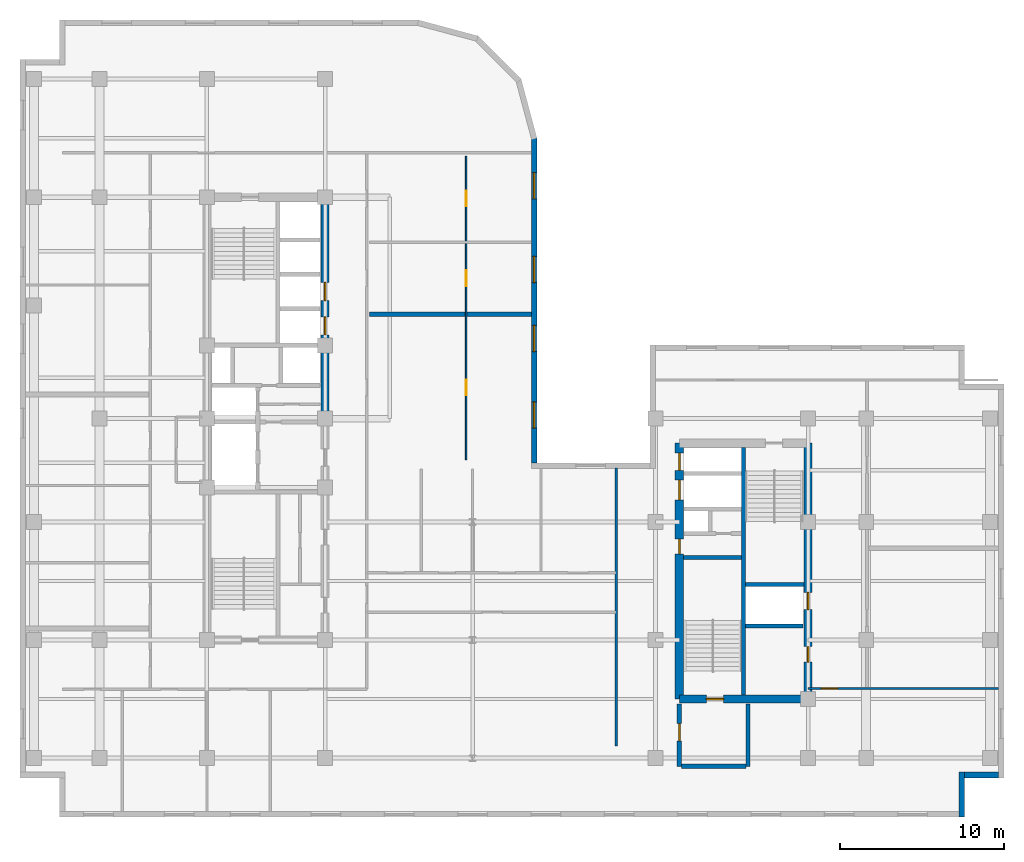
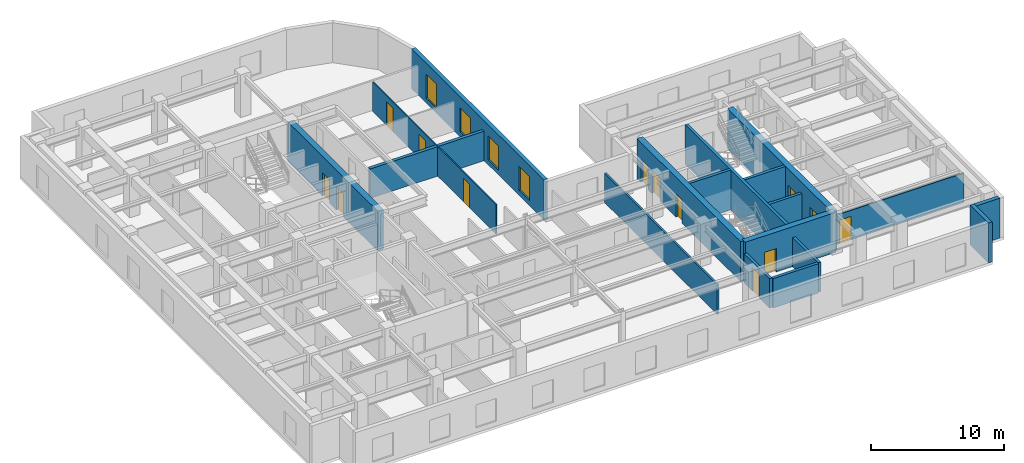
# One storey, part 6 of 11: 18 walls, 13 doors, 4 windows, 17 openings.
"""IFC4 building model written with IfcOpenShell, lengths in metres."""

from ifc_helpers import new_model, entity, si_unit, converted_unit, direction, frame, origin_with_axes, origin_2d_with_axis, place, context, subcontext, project, spatial, polyline, rectangle, outline, extrude, material, layer, layer_set, type_object, element, fill, save


model = new_model("IFC4")

# Units and contexts
model_context = context("Model", 3, precision=1e-05, world=origin_with_axes(), true_north=direction((0.0, 1.0)))
body_context = subcontext(model_context, "Body", "Model", "MODEL_VIEW")
ifc_project = project(units=[si_unit("LENGTHUNIT", "METRE"), si_unit("AREAUNIT", "SQUARE_METRE"), si_unit("VOLUMEUNIT", "CUBIC_METRE"), converted_unit("PLANEANGLEUNIT", "DEGREE", entity("IfcPlaneAngleMeasure", 0.017453292519943295), si_unit("PLANEANGLEUNIT", "RADIAN"), dimensions=[0, 0, 0, 0, 0, 0, 0]), si_unit("MASSUNIT", "GRAM", prefix="KILO"), si_unit("THERMODYNAMICTEMPERATUREUNIT", "KELVIN")], contexts=[model_context])

# Site, building, storey
site_placement = place(None, origin_with_axes())
site = spatial("IfcSite", under=ifc_project, at=site_placement, CompositionType="ELEMENT")
building_placement = place(site_placement, origin_with_axes())
building = spatial("IfcBuilding", under=site, at=building_placement, Name="Varnlund Millrace Tower", CompositionType="ELEMENT")
storey_placement = place(building_placement, frame((0.0, 0.0, 212.1), z_axis=(0.0, 0.0, 1.0), x_axis=(1.0, 0.0, 0.0)))
storey = spatial("IfcBuildingStorey", under=building, at=storey_placement, Name="L52", CompositionType="ELEMENT", Elevation=212.1)

# Wall, openings, doors
ifc_material_1 = material(Name="Concrete C70/85", Category="concrete")
ifc_layer_1 = layer(ifc_material_1, 0.5, Name="Concrete C70/85")
ifc_layer_set_1 = layer_set([ifc_layer_1], Name="Concrete C70/85")
wall_type_1 = type_object("IfcWallType", Name="Type-CoreWall-Shear-500-C70", PredefinedType="SHEAR", material=ifc_layer_set_1)
wall_1_placement = place(storey_placement, frame((18.6, 24.3, 0.0), z_axis=(0.0, 0.0, 1.0), x_axis=(0.0, 1.0, 0.0)))
wall_1 = element("IfcWall", 1, at=wall_1_placement, inside=storey, type_object=wall_type_1, Name="Type-CoreWall-Shear-500-C70", PredefinedType="SHEAR", context=body_context, shape_type="SweptSolid", body=[
    extrude(outline(polyline([(0.0, -0.25), (13.5, -0.25), (13.5, 0.25), (0.0, 0.25), (0.0, -0.25)])), origin_with_axes(), (0.0, 0.0, 1.0), 3.66),
])
opening_1_placement = place(wall_1_placement, frame((5.65, 0.0, 0.0), z_axis=(0.0, 0.0, 1.0), x_axis=(1.0, 0.0, 0.0)))
opening_1 = element("IfcOpeningElement", 2, at=opening_1_placement, cuts=wall_1, Name="Opening L52:LD-ELV-M1", PredefinedType="OPENING", context=body_context, shape_type="SweptSolid", body=[
    extrude(rectangle(XDim=1.1, YDim=0.52, at=origin_2d_with_axis()), origin_with_axes(), (0.0, 0.0, 1.0), 2.15),
])
opening_2_placement = place(wall_1_placement, frame((7.75, 0.0, 0.0), z_axis=(0.0, 0.0, 1.0), x_axis=(1.0, 0.0, 0.0)))
opening_2 = element("IfcOpeningElement", 3, at=opening_2_placement, cuts=wall_1, Name="Opening L52:LD-ELV-M2", PredefinedType="OPENING", context=body_context, shape_type="SweptSolid", body=[
    extrude(rectangle(XDim=1.1, YDim=0.52, at=origin_2d_with_axis()), origin_with_axes(), (0.0, 0.0, 1.0), 2.15),
])
ifc_material_2 = material(Name="Stainless and architectural bronze sliding landing door")
door_type_1 = type_object("IfcDoorType", Name="Type-LiftLandingDoor-1100X2150", OperationType="NOTDEFINED", PredefinedType="DOOR", material=ifc_material_2)
door_1_placement = place(wall_1_placement, frame((5.65, 0.0, 0.0), z_axis=(0.0, 0.0, 1.0), x_axis=(1.0, 0.0, 0.0)))
door_1 = element("IfcDoor", 4, at=door_1_placement, inside=storey, type_object=door_type_1, Name="Type-LiftLandingDoor-1100X2150", OperationType="SLIDING_TO_LEFT", OverallHeight=2.15, OverallWidth=1.1, PredefinedType="DOOR", context=body_context, shape_type="SweptSolid", body=[
    extrude(rectangle(XDim=1.1, YDim=0.09, at=origin_2d_with_axis()), origin_with_axes(), (0.0, 0.0, 1.0), 2.15),
])
fill(opening_1, door_1)
door_2_placement = place(wall_1_placement, frame((7.75, 0.0, 0.0), z_axis=(0.0, 0.0, 1.0), x_axis=(1.0, 0.0, 0.0)))
door_2 = element("IfcDoor", 5, at=door_2_placement, inside=storey, type_object=door_type_1, Name="Type-LiftLandingDoor-1100X2150", OperationType="SLIDING_TO_RIGHT", OverallHeight=2.15, OverallWidth=1.1, PredefinedType="DOOR", context=body_context, shape_type="SweptSolid", body=[
    extrude(rectangle(XDim=1.1, YDim=0.09, at=origin_2d_with_axis()), origin_with_axes(), (0.0, 0.0, 1.0), 2.15),
])
fill(opening_2, door_2)

wall_2_placement = place(storey_placement, frame((40.2, 7.2, 0.0), z_axis=(0.0, 0.0, 1.0), x_axis=(0.0, 1.0, 0.0)))
wall_2 = element("IfcWall", 6, at=wall_2_placement, inside=storey, type_object=wall_type_1, Name="Type-CoreWall-Shear-500-C70", PredefinedType="SHEAR", context=body_context, shape_type="SweptSolid", body=[
    extrude(outline(polyline([(0.0, -0.25), (15.6, -0.25), (15.6, 0.25), (0.0, 0.25), (0.0, -0.25)])), origin_with_axes(), (0.0, 0.0, 1.0), 3.66),
])
opening_3_placement = place(wall_2_placement, frame((14.475, 0.0, 0.0), z_axis=(0.0, 0.0, 1.0), x_axis=(1.0, 0.0, 0.0)))
opening_3 = element("IfcOpeningElement", 7, at=opening_3_placement, cuts=wall_2, Name="Opening L52:LD-ELV-M4", PredefinedType="OPENING", context=body_context, shape_type="SweptSolid", body=[
    extrude(rectangle(XDim=1.05, YDim=0.52, at=origin_2d_with_axis()), origin_with_axes(), (0.0, 0.0, 1.0), 2.15),
])
opening_4_placement = place(wall_2_placement, frame((12.75, 0.0, 0.0), z_axis=(0.0, 0.0, 1.0), x_axis=(1.0, 0.0, 0.0)))
opening_4 = element("IfcOpeningElement", 8, at=opening_4_placement, cuts=wall_2, Name="Opening L52:LD-SRV2", PredefinedType="OPENING", context=body_context, shape_type="SweptSolid", body=[
    extrude(rectangle(XDim=1.2, YDim=0.52, at=origin_2d_with_axis()), origin_with_axes(), (0.0, 0.0, 1.0), 2.15),
])
opening_5_placement = place(wall_2_placement, frame((9.3, 0.0, 0.0), z_axis=(0.0, 0.0, 1.0), x_axis=(1.0, 0.0, 0.0)))
opening_5 = element("IfcOpeningElement", 9, at=opening_5_placement, cuts=wall_2, Name="Opening L52:DR-CB-JAN", PredefinedType="OPENING", context=body_context, shape_type="SweptSolid", body=[
    extrude(rectangle(XDim=0.9, YDim=0.52, at=origin_2d_with_axis()), origin_with_axes(), (0.0, 0.0, 1.0), 2.15),
])
ifc_material_3 = material(Name="Fire-rated hollow steel service closet door", Category="steel")
door_type_2 = type_object("IfcDoorType", Name="Type-FireDoor-Closet-900X2150", OperationType="NOTDEFINED", PredefinedType="DOOR", material=ifc_material_3)
door_3_placement = place(wall_2_placement, frame((9.3, 0.0, 0.0), z_axis=(0.0, 0.0, 1.0), x_axis=(1.0, 0.0, 0.0)))
door_3 = element("IfcDoor", 10, at=door_3_placement, inside=storey, type_object=door_type_2, Name="Type-FireDoor-Closet-900X2150", OperationType="SINGLE_SWING_RIGHT", OverallHeight=2.15, OverallWidth=0.9, PredefinedType="DOOR", context=body_context, shape_type="SweptSolid", body=[
    extrude(rectangle(XDim=0.9, YDim=0.09, at=origin_2d_with_axis()), origin_with_axes(), (0.0, 0.0, 1.0), 2.15),
])
fill(opening_5, door_3)
ifc_material_4 = material(Name="Architectural bronze sliding landing door")
door_type_3 = type_object("IfcDoorType", Name="Type-LiftLandingDoor-Compact-1050X2150", OperationType="NOTDEFINED", PredefinedType="DOOR", material=ifc_material_4)
door_4_placement = place(wall_2_placement, frame((14.475, 0.0, 0.0), z_axis=(0.0, 0.0, 1.0), x_axis=(1.0, 0.0, 0.0)))
door_4 = element("IfcDoor", 11, at=door_4_placement, inside=storey, type_object=door_type_3, Name="Type-LiftLandingDoor-Compact-1050X2150", OperationType="SLIDING_TO_RIGHT", OverallHeight=2.15, OverallWidth=1.05, PredefinedType="DOOR", context=body_context, shape_type="SweptSolid", body=[
    extrude(rectangle(XDim=1.05, YDim=0.09, at=origin_2d_with_axis()), origin_with_axes(), (0.0, 0.0, 1.0), 2.15),
])
fill(opening_3, door_4)
ifc_material_5 = material(Name="Heavy-duty freight sliding landing door")
door_type_4 = type_object("IfcDoorType", Name="Type-LiftLandingDoor-Service-1200X2150", OperationType="NOTDEFINED", PredefinedType="DOOR", material=ifc_material_5)
door_5_placement = place(wall_2_placement, frame((12.75, 0.0, 0.0), z_axis=(0.0, 0.0, 1.0), x_axis=(1.0, 0.0, 0.0)))
door_5 = element("IfcDoor", 12, at=door_5_placement, inside=storey, type_object=door_type_4, Name="Type-LiftLandingDoor-Service-1200X2150", OperationType="DOUBLE_DOOR_SLIDING", OverallHeight=2.15, OverallWidth=1.2, PredefinedType="DOOR", context=body_context, shape_type="SweptSolid", body=[
    extrude(rectangle(XDim=1.2, YDim=0.09, at=origin_2d_with_axis()), origin_with_axes(), (0.0, 0.0, 1.0), 2.15),
])
fill(opening_4, door_5)

# Wall, opening, door
wall_3_placement = place(storey_placement, frame((40.2, 7.2, 0.0), z_axis=(0.0, 0.0, 1.0), x_axis=(1.0, 0.0, 0.0)))
wall_3 = element("IfcWall", 13, at=wall_3_placement, inside=storey, type_object=wall_type_1, Name="Type-CoreWall-Shear-500-C70", PredefinedType="SHEAR", context=body_context, shape_type="SweptSolid", body=[
    extrude(outline(polyline([(0.0, -0.25), (7.85, -0.25), (7.85, 0.25), (0.0, 0.25), (0.0, -0.25)])), origin_with_axes(), (0.0, 0.0, 1.0), 3.66),
])
opening_6_placement = place(wall_3_placement, frame((2.175, 0.0, 0.0), z_axis=(0.0, 0.0, 1.0), x_axis=(1.0, 0.0, 0.0)))
opening_6 = element("IfcOpeningElement", 14, at=opening_6_placement, cuts=wall_3, Name="Opening L52:DR-STB1", PredefinedType="OPENING", context=body_context, shape_type="SweptSolid", body=[
    extrude(rectangle(XDim=1.05, YDim=0.52, at=origin_2d_with_axis()), origin_with_axes(), (0.0, 0.0, 1.0), 2.15),
])
ifc_material_6 = material(Name="Fire-rated hollow steel door", Category="steel")
door_type_5 = type_object("IfcDoorType", Name="Type-FireDoor-Stair-1050X2150", OperationType="NOTDEFINED", PredefinedType="DOOR", material=ifc_material_6)
door_6_placement = place(wall_3_placement, frame((2.175, 0.0, 0.0), z_axis=(0.0, 0.0, 1.0), x_axis=(1.0, 0.0, 0.0)))
door_6 = element("IfcDoor", 15, at=door_6_placement, inside=storey, type_object=door_type_5, Name="Type-FireDoor-Stair-1050X2150", OperationType="SINGLE_SWING_LEFT", OverallHeight=2.15, OverallWidth=1.05, PredefinedType="DOOR", context=body_context, shape_type="SweptSolid", body=[
    extrude(rectangle(XDim=1.05, YDim=0.09, at=origin_2d_with_axis()), origin_with_axes(), (0.0, 0.0, 1.0), 2.15),
])
fill(opening_6, door_6)

# Wall, openings, doors
wall_4_placement = place(storey_placement, frame((48.05, 7.2, 0.0), z_axis=(0.0, 0.0, 1.0), x_axis=(0.0, 1.0, 0.0)))
wall_4 = element("IfcWall", 16, at=wall_4_placement, inside=storey, type_object=wall_type_1, Name="Type-CoreWall-Shear-500-C70", PredefinedType="SHEAR", context=body_context, shape_type="SweptSolid", body=[
    extrude(outline(polyline([(0.0, -0.25), (15.6, -0.25), (15.6, 0.25), (0.0, 0.25), (0.0, -0.25)])), origin_with_axes(), (0.0, 0.0, 1.0), 3.66),
])
opening_7_placement = place(wall_4_placement, frame((5.975, 0.0, 0.0), z_axis=(0.0, 0.0, 1.0), x_axis=(1.0, 0.0, 0.0)))
opening_7 = element("IfcOpeningElement", 17, at=opening_7_placement, cuts=wall_4, Name="Opening L52:LD-ELV-M3", PredefinedType="OPENING", context=body_context, shape_type="SweptSolid", body=[
    extrude(rectangle(XDim=1.05, YDim=0.52, at=origin_2d_with_axis()), origin_with_axes(), (0.0, 0.0, 1.0), 2.15),
])
opening_8_placement = place(wall_4_placement, frame((2.725, 0.0, 0.0), z_axis=(0.0, 0.0, 1.0), x_axis=(1.0, 0.0, 0.0)))
opening_8 = element("IfcOpeningElement", 18, at=opening_8_placement, cuts=wall_4, Name="Opening L52:DR-CB-WC", PredefinedType="OPENING", context=body_context, shape_type="SweptSolid", body=[
    extrude(rectangle(XDim=0.95, YDim=0.52, at=origin_2d_with_axis()), origin_with_axes(), (0.0, 0.0, 1.0), 2.15),
])
ifc_material_7 = material(Name="Fire-rated hollow steel core service door", Category="steel")
door_type_6 = type_object("IfcDoorType", Name="Type-FireDoor-Service-950X2150", OperationType="NOTDEFINED", PredefinedType="DOOR", material=ifc_material_7)
door_7_placement = place(wall_4_placement, frame((2.725, 0.0, 0.0), z_axis=(0.0, 0.0, 1.0), x_axis=(1.0, 0.0, 0.0)))
door_7 = element("IfcDoor", 19, at=door_7_placement, inside=storey, type_object=door_type_6, Name="Type-FireDoor-Service-950X2150", OperationType="SINGLE_SWING_LEFT", OverallHeight=2.15, OverallWidth=0.95, PredefinedType="DOOR", context=body_context, shape_type="SweptSolid", body=[
    extrude(rectangle(XDim=0.95, YDim=0.09, at=origin_2d_with_axis()), origin_with_axes(), (0.0, 0.0, 1.0), 2.15),
])
fill(opening_8, door_7)
door_8_placement = place(wall_4_placement, frame((5.975, 0.0, 0.0), z_axis=(0.0, 0.0, 1.0), x_axis=(1.0, 0.0, 0.0)))
door_8 = element("IfcDoor", 20, at=door_8_placement, inside=storey, type_object=door_type_3, Name="Type-LiftLandingDoor-Compact-1050X2150", OperationType="SLIDING_TO_LEFT", OverallHeight=2.15, OverallWidth=1.05, PredefinedType="DOOR", context=body_context, shape_type="SweptSolid", body=[
    extrude(rectangle(XDim=1.05, YDim=0.09, at=origin_2d_with_axis()), origin_with_axes(), (0.0, 0.0, 1.0), 2.15),
])
fill(opening_7, door_8)

# Walls
ifc_material_8 = material(Name="Precast concrete C50/60", Category="concrete")
ifc_layer_2 = layer(ifc_material_8, 0.34, Name="Precast concrete C50/60")
ifc_layer_set_2 = layer_set([ifc_layer_2], Name="Precast concrete C50/60")
wall_type_2 = type_object("IfcWallType", Name="Type-ExtWall-Precast-Upper-340", PredefinedType="SOLIDWALL", material=ifc_layer_set_2)
wall_5_placement = place(storey_placement, frame((59.66, 2.57, 0.0), z_axis=(0.0, 0.0, 1.0), x_axis=(-1.0, 0.0, 0.0)))
element("IfcWall", 21, at=wall_5_placement, inside=storey, type_object=wall_type_2, Name="Type-ExtWall-Precast-Upper-340", PredefinedType="SOLIDWALL", context=body_context, shape_type="SweptSolid", body=[
    extrude(outline(polyline([(0.0, -0.17), (2.06, -0.17), (2.06, 0.17), (0.0, 0.17), (0.0, -0.17)])), origin_with_axes(), (0.0, 0.0, 1.0), 3.66),
])
wall_6_placement = place(storey_placement, frame((57.43, 2.74, 0.0), z_axis=(0.0, 0.0, 1.0), x_axis=(0.0, -1.0, 0.0)))
element("IfcWall", 22, at=wall_6_placement, inside=storey, type_object=wall_type_2, Name="Type-ExtWall-Precast-Upper-340", PredefinedType="SOLIDWALL", context=body_context, shape_type="SweptSolid", body=[
    extrude(outline(polyline([(0.0, -0.17), (2.74, -0.17), (2.74, 0.17), (0.0, 0.17), (0.0, -0.17)])), origin_with_axes(), (0.0, 0.0, 1.0), 3.66),
])

# Wall, openings, windows
wall_7_placement = place(storey_placement, frame((31.355, 41.42, 0.0), z_axis=(0.0, 0.0, 1.0), x_axis=(0.0, -1.0, 0.0)))
wall_7 = element("IfcWall", 23, at=wall_7_placement, inside=storey, type_object=wall_type_2, Name="Type-ExtWall-Precast-Upper-340", PredefinedType="SOLIDWALL", context=body_context, shape_type="SweptSolid", body=[
    extrude(outline(polyline([(0.0, -0.17), (19.82, -0.17), (19.82, 0.17), (0.0, 0.17), (0.0, -0.17)])), origin_with_axes(), (0.0, 0.0, 1.0), 3.66),
])
opening_9_placement = place(wall_7_placement, frame((2.928, 0.0, 0.45), z_axis=(0.0, 0.0, 1.0), x_axis=(1.0, 0.0, 0.0)))
opening_9 = element("IfcOpeningElement", 24, at=opening_9_placement, cuts=wall_7, Name="Opening L52:WN-29", PredefinedType="OPENING", context=body_context, shape_type="SweptSolid", body=[
    extrude(rectangle(XDim=1.6, YDim=0.36, at=origin_2d_with_axis()), origin_with_axes(), (0.0, 0.0, 1.0), 2.2),
])
opening_10_placement = place(wall_7_placement, frame((8.032, 0.0, 0.45), z_axis=(0.0, 0.0, 1.0), x_axis=(1.0, 0.0, 0.0)))
opening_10 = element("IfcOpeningElement", 25, at=opening_10_placement, cuts=wall_7, Name="Opening L52:WN-30", PredefinedType="OPENING", context=body_context, shape_type="SweptSolid", body=[
    extrude(rectangle(XDim=1.6, YDim=0.36, at=origin_2d_with_axis()), origin_with_axes(), (0.0, 0.0, 1.0), 2.2),
])
opening_11_placement = place(wall_7_placement, frame((12.238, 0.0, 0.45), z_axis=(0.0, 0.0, 1.0), x_axis=(1.0, 0.0, 0.0)))
opening_11 = element("IfcOpeningElement", 26, at=opening_11_placement, cuts=wall_7, Name="Opening L52:WN-31", PredefinedType="OPENING", context=body_context, shape_type="SweptSolid", body=[
    extrude(rectangle(XDim=1.6, YDim=0.36, at=origin_2d_with_axis()), origin_with_axes(), (0.0, 0.0, 1.0), 2.2),
])
opening_12_placement = place(wall_7_placement, frame((16.893, 0.0, 0.45), z_axis=(0.0, 0.0, 1.0), x_axis=(1.0, 0.0, 0.0)))
opening_12 = element("IfcOpeningElement", 27, at=opening_12_placement, cuts=wall_7, Name="Opening L52:WN-32", PredefinedType="OPENING", context=body_context, shape_type="SweptSolid", body=[
    extrude(rectangle(XDim=1.6, YDim=0.36, at=origin_2d_with_axis()), origin_with_axes(), (0.0, 0.0, 1.0), 2.2),
])
ifc_material_9 = material(Name="Argon low-e triple glazing in thermally broken bronze frame", Category="glass")
window_type = type_object("IfcWindowType", Name="Type-Window-Slot-1600X2200", PartitioningType="SINGLE_PANEL", PredefinedType="WINDOW", material=ifc_material_9)
window_1_placement = place(wall_7_placement, frame((2.928, 0.0, 0.45), z_axis=(0.0, 0.0, 1.0), x_axis=(1.0, 0.0, 0.0)))
window_1 = element("IfcWindow", 28, at=window_1_placement, inside=storey, type_object=window_type, Name="Type-Window-Slot-1600X2200", OverallHeight=2.2, OverallWidth=1.6, PredefinedType="WINDOW", context=body_context, shape_type="SweptSolid", body=[
    extrude(rectangle(XDim=1.6, YDim=0.09, at=origin_2d_with_axis()), origin_with_axes(), (0.0, 0.0, 1.0), 2.2),
])
fill(opening_9, window_1)
window_2_placement = place(wall_7_placement, frame((8.032, 0.0, 0.45), z_axis=(0.0, 0.0, 1.0), x_axis=(1.0, 0.0, 0.0)))
window_2 = element("IfcWindow", 29, at=window_2_placement, inside=storey, type_object=window_type, Name="Type-Window-Slot-1600X2200", OverallHeight=2.2, OverallWidth=1.6, PredefinedType="WINDOW", context=body_context, shape_type="SweptSolid", body=[
    extrude(rectangle(XDim=1.6, YDim=0.09, at=origin_2d_with_axis()), origin_with_axes(), (0.0, 0.0, 1.0), 2.2),
])
fill(opening_10, window_2)
window_3_placement = place(wall_7_placement, frame((12.238, 0.0, 0.45), z_axis=(0.0, 0.0, 1.0), x_axis=(1.0, 0.0, 0.0)))
window_3 = element("IfcWindow", 30, at=window_3_placement, inside=storey, type_object=window_type, Name="Type-Window-Slot-1600X2200", OverallHeight=2.2, OverallWidth=1.6, PredefinedType="WINDOW", context=body_context, shape_type="SweptSolid", body=[
    extrude(rectangle(XDim=1.6, YDim=0.09, at=origin_2d_with_axis()), origin_with_axes(), (0.0, 0.0, 1.0), 2.2),
])
fill(opening_11, window_3)
window_4_placement = place(wall_7_placement, frame((16.893, 0.0, 0.45), z_axis=(0.0, 0.0, 1.0), x_axis=(1.0, 0.0, 0.0)))
window_4 = element("IfcWindow", 31, at=window_4_placement, inside=storey, type_object=window_type, Name="Type-Window-Slot-1600X2200", OverallHeight=2.2, OverallWidth=1.6, PredefinedType="WINDOW", context=body_context, shape_type="SweptSolid", body=[
    extrude(rectangle(XDim=1.6, YDim=0.09, at=origin_2d_with_axis()), origin_with_axes(), (0.0, 0.0, 1.0), 2.2),
])
fill(opening_12, window_4)

# Walls
ifc_material_10 = material(Name="Double-stud STC-60 conference acoustic partition", Category="gypsum")
ifc_layer_3 = layer(ifc_material_10, 0.28, Name="Double-stud STC-60 conference acoustic partition")
ifc_layer_set_3 = layer_set([ifc_layer_3], Name="Double-stud STC-60 conference acoustic partition")
wall_type_3 = type_object("IfcWallType", Name="Type-Partition-Acoustic-280", PredefinedType="PARTITIONING", material=ifc_layer_set_3)
wall_8_placement = place(storey_placement, frame((21.3, 30.668, 0.0), z_axis=(0.0, 0.0, 1.0), x_axis=(1.0, 0.0, 0.0)))
element("IfcWall", 32, at=wall_8_placement, inside=storey, type_object=wall_type_3, Name="Type-Partition-Acoustic-280", PredefinedType="PARTITIONING", context=body_context, shape_type="SweptSolid", body=[
    extrude(outline(polyline([(0.0, -0.14), (9.89, -0.14), (9.89, 0.14), (0.0, 0.14), (0.0, -0.14)])), origin_with_axes(), (0.0, 0.0, 1.0), 2.7),
])
ifc_material_11 = material(Name="Fire-rated gypsum board on cold-formed steel framing", Category="steel")
ifc_layer_4 = layer(ifc_material_11, 0.16, Name="Fire-rated gypsum board on cold-formed steel framing")
ifc_layer_set_4 = layer_set([ifc_layer_4], Name="Fire-rated gypsum board on cold-formed steel framing")
wall_type_4 = type_object("IfcWallType", Name="Type-Partition-Corridor-160", PredefinedType="PARTITIONING", material=ifc_layer_set_4)
wall_9_placement = place(storey_placement, frame((36.35, 4.35, 0.0), z_axis=(0.0, 0.0, 1.0), x_axis=(0.0, 1.0, 0.0)))
element("IfcWall", 33, at=wall_9_placement, inside=storey, type_object=wall_type_4, Name="Type-Partition-Corridor-160", PredefinedType="PARTITIONING", context=body_context, shape_type="SweptSolid", body=[
    extrude(outline(polyline([(0.0, -0.08), (16.95, -0.08), (16.95, 0.08), (0.0, 0.08), (0.0, -0.08)])), origin_with_axes(), (0.0, 0.0, 1.0), 2.7),
])

# Wall, openings, doors
ifc_material_12 = material(Name="Architectural bronze and acoustic glass office front", Category="glass")
ifc_layer_5 = layer(ifc_material_12, 0.1, Name="Architectural bronze and acoustic glass office front")
ifc_layer_set_5 = layer_set([ifc_layer_5], Name="Architectural bronze and acoustic glass office front")
wall_type_5 = type_object("IfcWallType", Name="Type-Partition-Glazed-100", PredefinedType="PARTITIONING", material=ifc_layer_set_5)
wall_10_placement = place(storey_placement, frame((27.2, 21.8, 0.0), z_axis=(0.0, 0.0, 1.0), x_axis=(0.0, 1.0, 0.0)))
wall_10 = element("IfcWall", 34, at=wall_10_placement, inside=storey, type_object=wall_type_5, Name="Type-Partition-Glazed-100", PredefinedType="PARTITIONING", context=body_context, shape_type="SweptSolid", body=[
    extrude(outline(polyline([(0.0, -0.05), (18.5, -0.05), (18.5, 0.05), (0.0, 0.05), (0.0, -0.05)])), origin_with_axes(), (0.0, 0.0, 1.0), 2.7),
])
opening_13_placement = place(wall_10_placement, frame((4.399, 0.0, 0.0), z_axis=(0.0, 0.0, 1.0), x_axis=(1.0, 0.0, 0.0)))
opening_13 = element("IfcOpeningElement", 35, at=opening_13_placement, cuts=wall_10, Name="Opening L52:DR-FLR-S01", PredefinedType="OPENING", context=body_context, shape_type="SweptSolid", body=[
    extrude(rectangle(XDim=0.95, YDim=0.12, at=origin_2d_with_axis()), origin_with_axes(), (0.0, 0.0, 1.0), 2.15),
])
opening_14_placement = place(wall_10_placement, frame((11.06, 0.0, 0.0), z_axis=(0.0, 0.0, 1.0), x_axis=(1.0, 0.0, 0.0)))
opening_14 = element("IfcOpeningElement", 36, at=opening_14_placement, cuts=wall_10, Name="Opening L52:DR-FLR-S02", PredefinedType="OPENING", context=body_context, shape_type="SweptSolid", body=[
    extrude(rectangle(XDim=0.95, YDim=0.12, at=origin_2d_with_axis()), origin_with_axes(), (0.0, 0.0, 1.0), 2.15),
])
opening_15_placement = place(wall_10_placement, frame((15.911, 0.0, 0.0), z_axis=(0.0, 0.0, 1.0), x_axis=(1.0, 0.0, 0.0)))
opening_15 = element("IfcOpeningElement", 37, at=opening_15_placement, cuts=wall_10, Name="Opening L52:DR-FLR-S03", PredefinedType="OPENING", context=body_context, shape_type="SweptSolid", body=[
    extrude(rectangle(XDim=0.95, YDim=0.12, at=origin_2d_with_axis()), origin_with_axes(), (0.0, 0.0, 1.0), 2.15),
])
ifc_material_13 = material(Name="Solid-core acoustic office door")
door_type_7 = type_object("IfcDoorType", Name="Type-IntDoor-Tenant-950X2150", OperationType="NOTDEFINED", PredefinedType="DOOR", material=ifc_material_13)
door_9_placement = place(wall_10_placement, frame((4.399, 0.0, 0.0), z_axis=(0.0, 0.0, 1.0), x_axis=(1.0, 0.0, 0.0)))
door_9 = element("IfcDoor", 38, at=door_9_placement, inside=storey, type_object=door_type_7, Name="Type-IntDoor-Tenant-950X2150", OperationType="SINGLE_SWING_LEFT", OverallHeight=2.15, OverallWidth=0.95, PredefinedType="DOOR", context=body_context, shape_type="SweptSolid", body=[
    extrude(rectangle(XDim=0.95, YDim=0.06, at=origin_2d_with_axis()), origin_with_axes(), (0.0, 0.0, 1.0), 2.15),
])
fill(opening_13, door_9)
door_10_placement = place(wall_10_placement, frame((11.06, 0.0, 0.0), z_axis=(0.0, 0.0, 1.0), x_axis=(1.0, 0.0, 0.0)))
door_10 = element("IfcDoor", 39, at=door_10_placement, inside=storey, type_object=door_type_7, Name="Type-IntDoor-Tenant-950X2150", OperationType="SINGLE_SWING_LEFT", OverallHeight=2.15, OverallWidth=0.95, PredefinedType="DOOR", context=body_context, shape_type="SweptSolid", body=[
    extrude(rectangle(XDim=0.95, YDim=0.06, at=origin_2d_with_axis()), origin_with_axes(), (0.0, 0.0, 1.0), 2.15),
])
fill(opening_14, door_10)
door_11_placement = place(wall_10_placement, frame((15.911, 0.0, 0.0), z_axis=(0.0, 0.0, 1.0), x_axis=(1.0, 0.0, 0.0)))
door_11 = element("IfcDoor", 40, at=door_11_placement, inside=storey, type_object=door_type_7, Name="Type-IntDoor-Tenant-950X2150", OperationType="SINGLE_SWING_LEFT", OverallHeight=2.15, OverallWidth=0.95, PredefinedType="DOOR", context=body_context, shape_type="SweptSolid", body=[
    extrude(rectangle(XDim=0.95, YDim=0.06, at=origin_2d_with_axis()), origin_with_axes(), (0.0, 0.0, 1.0), 2.15),
])
fill(opening_15, door_11)

# Wall, opening, door
ifc_material_14 = material(Name="Gypsum board tenant partition", Category="gypsum")
ifc_layer_6 = layer(ifc_material_14, 0.125, Name="Gypsum board tenant partition")
ifc_layer_set_6 = layer_set([ifc_layer_6], Name="Gypsum board tenant partition")
wall_type_6 = type_object("IfcWallType", Name="Type-Partition-Tenant-125", PredefinedType="PARTITIONING", material=ifc_layer_set_6)
wall_11_placement = place(storey_placement, frame((59.665, 7.85, 0.0), z_axis=(0.0, 0.0, 1.0), x_axis=(-1.0, 0.0, 0.0)))
wall_11 = element("IfcWall", 41, at=wall_11_placement, inside=storey, type_object=wall_type_6, Name="Type-Partition-Tenant-125", PredefinedType="PARTITIONING", context=body_context, shape_type="SweptSolid", body=[
    extrude(outline(polyline([(0.0, -0.0625), (11.615, -0.0625), (11.615, 0.0625), (0.0, 0.0625), (0.0, -0.0625)])), origin_with_axes(), (0.0, 0.0, 1.0), 2.7),
])
opening_16_placement = place(wall_11_placement, frame((10.315, 0.0, 0.0), z_axis=(0.0, 0.0, 1.0), x_axis=(1.0, 0.0, 0.0)))
opening_16 = element("IfcOpeningElement", 42, at=opening_16_placement, cuts=wall_11, Name="Opening L52:DR-WBS-01", PredefinedType="OPENING", context=body_context, shape_type="SweptSolid", body=[
    extrude(rectangle(XDim=1.0, YDim=0.145, at=origin_2d_with_axis()), origin_with_axes(), (0.0, 0.0, 1.0), 2.15),
])
ifc_material_15 = material(Name="Solid-core white oak and bronze frame door")
door_type_8 = type_object("IfcDoorType", Name="Type-IntDoor-Office-1000X2150", OperationType="NOTDEFINED", PredefinedType="DOOR", material=ifc_material_15)
door_12_placement = place(wall_11_placement, frame((10.315, 0.0, 0.0), z_axis=(0.0, 0.0, 1.0), x_axis=(1.0, 0.0, 0.0)))
door_12 = element("IfcDoor", 43, at=door_12_placement, inside=storey, type_object=door_type_8, Name="Type-IntDoor-Office-1000X2150", OperationType="SINGLE_SWING_LEFT", OverallHeight=2.15, OverallWidth=1.0, PredefinedType="DOOR", context=body_context, shape_type="SweptSolid", body=[
    extrude(rectangle(XDim=1.0, YDim=0.075, at=origin_2d_with_axis()), origin_with_axes(), (0.0, 0.0, 1.0), 2.15),
])
fill(opening_16, door_12)

ifc_material_16 = material(Name="Concrete C60/75", Category="concrete")
ifc_layer_7 = layer(ifc_material_16, 0.25, Name="Concrete C60/75")
ifc_layer_set_7 = layer_set([ifc_layer_7], Name="Concrete C60/75")
wall_type_7 = type_object("IfcWallType", Name="Type-ShaftWall-Fire-250", PredefinedType="SOLIDWALL", material=ifc_layer_set_7)
wall_12_placement = place(storey_placement, frame((40.2, 3.1, 0.0), z_axis=(0.0, 0.0, 1.0), x_axis=(0.0, 1.0, 0.0)))
wall_12 = element("IfcWall", 44, at=wall_12_placement, inside=storey, type_object=wall_type_7, Name="Type-ShaftWall-Fire-250", PredefinedType="SOLIDWALL", context=body_context, shape_type="SweptSolid", body=[
    extrude(outline(polyline([(0.0, -0.125), (3.8, -0.125), (3.8, 0.125), (0.0, 0.125), (0.0, -0.125)])), origin_with_axes(), (0.0, 0.0, 1.0), 2.7),
])
opening_17_placement = place(wall_12_placement, frame((2.075, 0.0, 0.0), z_axis=(0.0, 0.0, 1.0), x_axis=(1.0, 0.0, 0.0)))
opening_17 = element("IfcOpeningElement", 45, at=opening_17_placement, cuts=wall_12, Name="Opening L52:DR-FFLOB-B", PredefinedType="OPENING", context=body_context, shape_type="SweptSolid", body=[
    extrude(rectangle(XDim=1.05, YDim=0.27, at=origin_2d_with_axis()), origin_with_axes(), (0.0, 0.0, 1.0), 2.15),
])
ifc_material_17 = material(Name="Smoke-barrier hollow steel fire door", Category="steel")
door_type_9 = type_object("IfcDoorType", Name="Type-FireDoor-Lobby-1050X2150", OperationType="NOTDEFINED", PredefinedType="DOOR", material=ifc_material_17)
door_13_placement = place(wall_12_placement, frame((2.075, 0.0, 0.0), z_axis=(0.0, 0.0, 1.0), x_axis=(1.0, 0.0, 0.0)))
door_13 = element("IfcDoor", 46, at=door_13_placement, inside=storey, type_object=door_type_9, Name="Type-FireDoor-Lobby-1050X2150", OperationType="SINGLE_SWING_LEFT", OverallHeight=2.15, OverallWidth=1.05, PredefinedType="DOOR", context=body_context, shape_type="SweptSolid", body=[
    extrude(rectangle(XDim=1.05, YDim=0.09, at=origin_2d_with_axis()), origin_with_axes(), (0.0, 0.0, 1.0), 2.15),
])
fill(opening_17, door_13)

# Walls
wall_13_placement = place(storey_placement, frame((40.325, 3.1, 0.0), z_axis=(0.0, 0.0, 1.0), x_axis=(1.0, 0.0, 0.0)))
element("IfcWall", 47, at=wall_13_placement, inside=storey, type_object=wall_type_7, Name="Type-ShaftWall-Fire-250", PredefinedType="SOLIDWALL", context=body_context, shape_type="SweptSolid", body=[
    extrude(outline(polyline([(0.0, -0.125), (3.95, -0.125), (3.95, 0.125), (0.0, 0.125), (0.0, -0.125)])), origin_with_axes(), (0.0, 0.0, 1.0), 2.7),
])
wall_14_placement = place(storey_placement, frame((44.4, 3.1, 0.0), z_axis=(0.0, 0.0, 1.0), x_axis=(0.0, 1.0, 0.0)))
element("IfcWall", 48, at=wall_14_placement, inside=storey, type_object=wall_type_7, Name="Type-ShaftWall-Fire-250", PredefinedType="SOLIDWALL", context=body_context, shape_type="SweptSolid", body=[
    extrude(outline(polyline([(0.0, -0.125), (3.8, -0.125), (3.8, 0.125), (0.0, 0.125), (0.0, -0.125)])), origin_with_axes(), (0.0, 0.0, 1.0), 2.7),
])
wall_15_placement = place(storey_placement, frame((44.25, 11.66, 0.0), z_axis=(0.0, 0.0, 1.0), x_axis=(1.0, 0.0, 0.0)))
element("IfcWall", 49, at=wall_15_placement, inside=storey, type_object=wall_type_7, Name="Type-ShaftWall-Fire-250", PredefinedType="SOLIDWALL", context=body_context, shape_type="SweptSolid", body=[
    extrude(outline(polyline([(0.0, -0.125), (3.5, -0.125), (3.5, 0.125), (0.0, 0.125), (0.0, -0.125)])), origin_with_axes(), (0.0, 0.0, 1.0), 2.7),
])
wall_type_8 = type_object("IfcWallType", Name="Type-StairWall-Shear-250", PredefinedType="SHEAR", material=ifc_layer_set_7)
wall_16_placement = place(storey_placement, frame((44.125, 7.45, 0.0), z_axis=(0.0, 0.0, 1.0), x_axis=(0.0, 1.0, 0.0)))
element("IfcWall", 50, at=wall_16_placement, inside=storey, type_object=wall_type_8, Name="Type-StairWall-Shear-250", PredefinedType="SHEAR", context=body_context, shape_type="SweptSolid", body=[
    extrude(outline(polyline([(0.0, -0.125), (15.1, -0.125), (15.1, 0.125), (0.0, 0.125), (0.0, -0.125)])), origin_with_axes(), (0.0, 0.0, 1.0), 3.66),
])
for number, where, z_axis, x_axis, name in (
    (51, (40.45, 15.825, 0.0), (0.0, 0.0, 1.0), (1.0, 0.0, 0.0), "Type-StairWall-Shear-250"),
    (52, (44.25, 14.175, 0.0), (0.0, 0.0, 1.0), (1.0, 0.0, 0.0), "Type-StairWall-Shear-250"),
):
    element("IfcWall", number, at=place(storey_placement, frame(where, z_axis=z_axis, x_axis=x_axis)), inside=storey, type_object=wall_type_8, Name=name, PredefinedType="SHEAR", context=body_context, shape_type="SweptSolid", body=[
        extrude(outline(polyline([(0.0, -0.125), (3.55, -0.125), (3.55, 0.125), (0.0, 0.125), (0.0, -0.125)])), origin_with_axes(), (0.0, 0.0, 1.0), 3.66),
    ])

save(model, "model.ifc")
